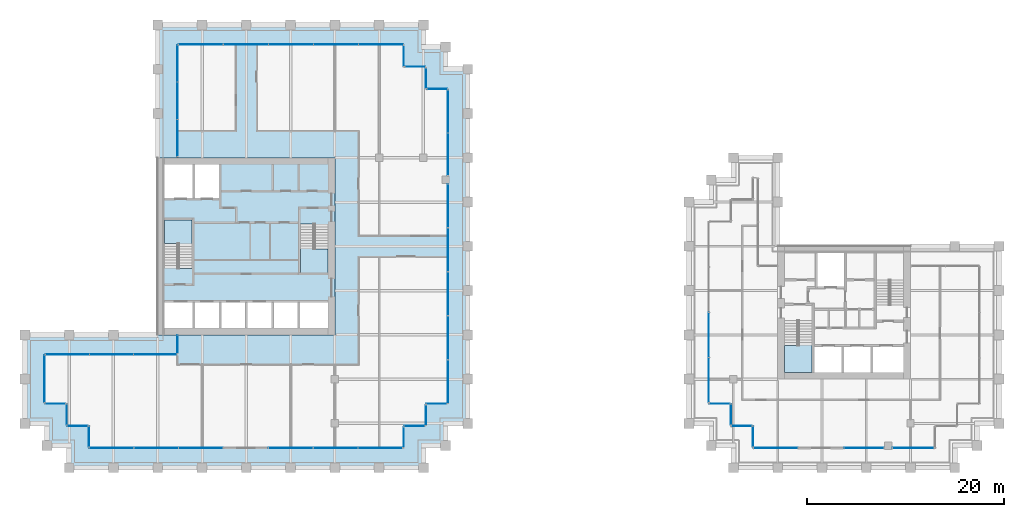
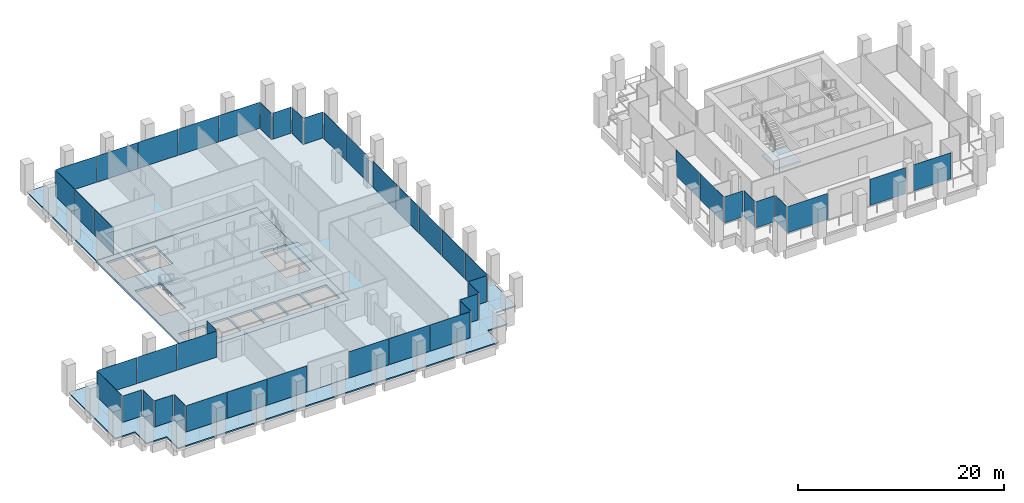
# One storey, part 39 of 46: 47 plates, 6 slabs, 32 elements without a shape of their own.
"""IFC4 building model written with IfcOpenShell, lengths in metres."""

from ifc_helpers import new_model, si_unit, direction, frame, origin, origin_2d, place, context, subcontext, project, spatial, polyline, rectangle, outline, extrude, material, layer, layer_set, type_object, element, aggregate, save


model = new_model("IFC4")

# Units and contexts
model_context = context("Model", 3, precision=1e-05, world=origin(), true_north=direction((0.0, 1.0)))
body_context = subcontext(model_context, "Body", "Model", "MODEL_VIEW")
ifc_project = project(units=[si_unit("LENGTHUNIT", "METRE"), si_unit("AREAUNIT", "SQUARE_METRE"), si_unit("VOLUMEUNIT", "CUBIC_METRE"), si_unit("PLANEANGLEUNIT", "RADIAN"), si_unit("MASSUNIT", "GRAM", prefix="KILO")], contexts=[model_context])

# Site, building, storey
site_placement = place(None, origin())
site = spatial("IfcSite", under=ifc_project, at=site_placement, CompositionType="ELEMENT")
building_placement = place(site_placement, origin())
building = spatial("IfcBuilding", under=site, at=building_placement, Name="Altepetl Exchange Towers", CompositionType="ELEMENT")
storey_placement = place(building_placement, frame((0.0, 0.0, 102.800048828125)))
storey = spatial("IfcBuildingStorey", under=building, at=storey_placement, Name="L25", CompositionType="ELEMENT", Elevation=102.800048828125)

# Slabs
ifc_material_1 = material(Name="Concrete C40/50", Category="concrete")
ifc_layer_1 = layer(ifc_material_1, 0.14990234375)
ifc_layer_set_1 = layer_set([ifc_layer_1], Name="Concrete C40/50")
slab_type_1 = type_object("IfcSlabType", Name="Composite floor slab 150", PredefinedType="FLOOR", material=ifc_layer_set_1)
slab_1_placement = place(storey_placement, frame((0.0, 0.0, -0.150146484375)))
element("IfcSlab", 1, at=slab_1_placement, inside=storey, type_object=slab_type_1, Name="slab:A:L25:strip0", PredefinedType="FLOOR", context=body_context, shape_type="SweptSolid", body=[
    extrude(outline(polyline([(42.5, 70.0), (42.5, 58.5), (58.5, 58.5), (58.5, 40.5), (42.5, 40.5), (42.5, 38.5), (29.0, 38.5), (29.0, 33.5), (31.25, 33.5), (31.25, 31.25), (33.5, 31.25), (33.5, 29.0), (65.5, 29.0), (65.5, 31.25), (67.75, 31.25), (67.75, 33.5), (70.0, 33.5), (70.0, 65.5), (67.75, 65.5), (67.75, 67.75), (65.5, 67.75), (65.5, 70.0), (42.5, 70.0)])), origin(), (0.0, 0.0, 1.0), 0.150146484375),
])
ifc_layer_2 = layer(ifc_material_1, 0.25)
ifc_layer_set_2 = layer_set([ifc_layer_2], Name="Concrete C40/50")
slab_type_2 = type_object("IfcSlabType", Name="Core floor slab 250", PredefinedType="FLOOR", material=ifc_layer_set_2)
slab_2_placement = place(storey_placement, frame((0.0, 0.0, -0.25)))
element("IfcSlab", 2, at=slab_2_placement, inside=storey, type_object=slab_type_2, Name="slab:A:L25:core0", PredefinedType="FLOOR", context=body_context, shape_type="SweptSolid", body=[
    extrude(outline(polyline([(40.5, 40.5), (58.5, 40.5), (58.5, 58.5), (40.5, 58.5), (40.5, 40.5)]), holes=[polyline([(41.199951171875, 43.800048828125), (44.06689453125, 43.800048828125), (44.06689453125, 41.199951171875), (41.199951171875, 41.199951171875), (41.199951171875, 43.800048828125)]), polyline([(44.26708984375, 43.800048828125), (46.73291015625, 43.800048828125), (46.73291015625, 41.199951171875), (44.26708984375, 41.199951171875), (44.26708984375, 43.800048828125)]), polyline([(46.93310546875, 43.800048828125), (49.39990234375, 43.800048828125), (49.39990234375, 41.199951171875), (46.93310546875, 41.199951171875), (46.93310546875, 43.800048828125)]), polyline([(52.06689453125, 43.800048828125), (52.06689453125, 41.199951171875), (49.60009765625, 41.199951171875), (49.60009765625, 43.800048828125), (52.06689453125, 43.800048828125)]), polyline([(54.73291015625, 43.800048828125), (54.73291015625, 41.199951171875), (52.26708984375, 41.199951171875), (52.26708984375, 43.800048828125), (54.73291015625, 43.800048828125)]), polyline([(54.93310546875, 43.800048828125), (57.800048828125, 43.800048828125), (57.800048828125, 41.199951171875), (54.93310546875, 41.199951171875), (54.93310546875, 43.800048828125)]), polyline([(55.0, 51.7490234375), (56.449951171875, 51.7490234375), (56.449951171875, 51.64990234375), (57.800048828125, 51.64990234375), (57.800048828125, 46.800048828125), (55.0, 46.800048828125), (55.0, 51.7490234375)]), polyline([(44.0, 47.2509765625), (42.550048828125, 47.2509765625), (42.550048828125, 47.35009765625), (41.199951171875, 47.35009765625), (41.199951171875, 52.199951171875), (44.0, 52.199951171875), (44.0, 47.2509765625)]), polyline([(44.06689453125, 57.800048828125), (44.06689453125, 54.39990234375), (41.199951171875, 54.39990234375), (41.199951171875, 57.800048828125), (44.06689453125, 57.800048828125)]), polyline([(46.73291015625, 57.800048828125), (46.73291015625, 54.39990234375), (44.26708984375, 54.39990234375), (44.26708984375, 57.800048828125), (46.73291015625, 57.800048828125)])]), origin(), (0.0, 0.0, 1.0), 0.25),
])

# Curtain wall, plate
ifc_material_2 = material(Name="Aluminium 6063-T6 glazing", Category="aluminium")
curtain_wall_type = type_object("IfcCurtainWallType", Name="Loggia glazing system", PredefinedType="NOTDEFINED", material=ifc_material_2)
curtain_wall_1_placement = place(storey_placement, origin())
curtain_wall_1 = element("IfcCurtainWall", 3, at=curtain_wall_1_placement, inside=storey, type_object=curtain_wall_type, Name="CW1 run", PredefinedType="NOTDEFINED")
ifc_material_3 = material(Name="Glass 6-16-6 low emissivity", Category="glass")
ifc_layer_3 = layer(ifc_material_3, 0.028076171875)
ifc_layer_set_3 = layer_set([ifc_layer_3], Name="Glass 6-16-6 low emissivity")
plate_type = type_object("IfcPlateType", Name="Glass panel 28 double glazed", PredefinedType="CURTAIN_PANEL", material=ifc_layer_set_3)
plate_1_placement = place(storey_placement, frame((42.5, 39.53759765625, 0.0), z_axis=(0.0, 0.0, 1.0), x_axis=(0.0, -1.0, 0.0)))
plate_1 = element("IfcPlate", 4, at=plate_1_placement, type_object=plate_type, Name="GP1 panel", PredefinedType="CURTAIN_PANEL", context=body_context, shape_type="SweptSolid", body=[
    extrude(rectangle(XDim=1.804931640625, YDim=0.028076171875, at=origin_2d()), origin(), (0.0, 0.0, 1.0), 3.10009765625),
])
aggregate(curtain_wall_1, [plate_1])

# Curtain wall, plates
curtain_wall_2_placement = place(storey_placement, origin())
curtain_wall_2 = element("IfcCurtainWall", 5, at=curtain_wall_2_placement, inside=storey, type_object=curtain_wall_type, Name="CW1 run", PredefinedType="NOTDEFINED")
plate_2_placement = place(storey_placement, frame((40.24755859375, 38.5, 0.0), z_axis=(0.0, 0.0, 1.0), x_axis=(-1.0, 0.0, 0.0)))
plate_2 = element("IfcPlate", 6, at=plate_2_placement, type_object=plate_type, Name="GP1 panel", PredefinedType="CURTAIN_PANEL", context=body_context, shape_type="SweptSolid", body=[
    extrude(rectangle(XDim=4.385009765625, YDim=0.028076171875, at=origin_2d()), origin(), (0.0, 0.0, 1.0), 3.10009765625),
])
plate_3_placement = place(storey_placement, frame((35.78759765625, 38.5, 0.0), z_axis=(0.0, 0.0, 1.0), x_axis=(-1.0, 0.0, 0.0)))
plate_3 = element("IfcPlate", 7, at=plate_3_placement, type_object=plate_type, Name="GP1 panel", PredefinedType="CURTAIN_PANEL", context=body_context, shape_type="SweptSolid", body=[
    extrude(rectangle(XDim=4.4150390625, YDim=0.028076171875, at=origin_2d()), origin(), (0.0, 0.0, 1.0), 3.10009765625),
])
plate_4_placement = place(storey_placement, frame((31.327392578125, 38.5, 0.0), z_axis=(0.0, 0.0, 1.0), x_axis=(-1.0, 0.0, 0.0)))
plate_4 = element("IfcPlate", 8, at=plate_4_placement, type_object=plate_type, Name="GP1 panel", PredefinedType="CURTAIN_PANEL", context=body_context, shape_type="SweptSolid", body=[
    extrude(rectangle(XDim=4.385009765625, YDim=0.028076171875, at=origin_2d()), origin(), (0.0, 0.0, 1.0), 3.10009765625),
])
aggregate(curtain_wall_2, [plate_2, plate_3, plate_4])

# Curtain wall, plate
curtain_wall_3_placement = place(storey_placement, origin())
curtain_wall_3 = element("IfcCurtainWall", 9, at=curtain_wall_3_placement, inside=storey, type_object=curtain_wall_type, Name="CW1 run", PredefinedType="NOTDEFINED")
plate_5_placement = place(storey_placement, frame((29.0, 36.03759765625, 0.0), z_axis=(0.0, 0.0, 1.0), x_axis=(0.0, -1.0, 0.0)))
plate_5 = element("IfcPlate", 10, at=plate_5_placement, type_object=plate_type, Name="GP1 panel", PredefinedType="CURTAIN_PANEL", context=body_context, shape_type="SweptSolid", body=[
    extrude(rectangle(XDim=4.804931640625, YDim=0.028076171875, at=origin_2d()), origin(), (0.0, 0.0, 1.0), 3.10009765625),
])
aggregate(curtain_wall_3, [plate_5])

curtain_wall_4_placement = place(storey_placement, origin())
curtain_wall_4 = element("IfcCurtainWall", 11, at=curtain_wall_4_placement, inside=storey, type_object=curtain_wall_type, Name="CW1 run", PredefinedType="NOTDEFINED")
plate_6_placement = place(storey_placement, frame((30.08740234375, 33.5, 0.0)))
plate_6 = element("IfcPlate", 12, at=plate_6_placement, type_object=plate_type, Name="GP1 panel", PredefinedType="CURTAIN_PANEL", context=body_context, shape_type="SweptSolid", body=[
    extrude(rectangle(XDim=2.054931640625, YDim=0.028076171875, at=origin_2d()), origin(), (0.0, 0.0, 1.0), 3.10009765625),
])
aggregate(curtain_wall_4, [plate_6])

curtain_wall_5_placement = place(storey_placement, origin())
curtain_wall_5 = element("IfcCurtainWall", 13, at=curtain_wall_5_placement, inside=storey, type_object=curtain_wall_type, Name="CW1 run", PredefinedType="NOTDEFINED")
plate_7_placement = place(storey_placement, frame((31.25, 32.41259765625, 0.0), z_axis=(0.0, 0.0, 1.0), x_axis=(0.0, -1.0, 0.0)))
plate_7 = element("IfcPlate", 14, at=plate_7_placement, type_object=plate_type, Name="GP1 panel", PredefinedType="CURTAIN_PANEL", context=body_context, shape_type="SweptSolid", body=[
    extrude(rectangle(XDim=2.054931640625, YDim=0.028076171875, at=origin_2d()), origin(), (0.0, 0.0, 1.0), 3.10009765625),
])
aggregate(curtain_wall_5, [plate_7])

curtain_wall_6_placement = place(storey_placement, origin())
curtain_wall_6 = element("IfcCurtainWall", 15, at=curtain_wall_6_placement, inside=storey, type_object=curtain_wall_type, Name="CW1 run", PredefinedType="NOTDEFINED")
plate_8_placement = place(storey_placement, frame((32.33740234375, 31.25, 0.0)))
plate_8 = element("IfcPlate", 16, at=plate_8_placement, type_object=plate_type, Name="GP1 panel", PredefinedType="CURTAIN_PANEL", context=body_context, shape_type="SweptSolid", body=[
    extrude(rectangle(XDim=2.054931640625, YDim=0.028076171875, at=origin_2d()), origin(), (0.0, 0.0, 1.0), 3.10009765625),
])
aggregate(curtain_wall_6, [plate_8])

curtain_wall_7_placement = place(storey_placement, origin())
curtain_wall_7 = element("IfcCurtainWall", 17, at=curtain_wall_7_placement, inside=storey, type_object=curtain_wall_type, Name="CW1 run", PredefinedType="NOTDEFINED")
plate_9_placement = place(storey_placement, frame((33.5, 30.16259765625, 0.0), z_axis=(0.0, 0.0, 1.0), x_axis=(0.0, -1.0, 0.0)))
plate_9 = element("IfcPlate", 18, at=plate_9_placement, type_object=plate_type, Name="GP1 panel", PredefinedType="CURTAIN_PANEL", context=body_context, shape_type="SweptSolid", body=[
    extrude(rectangle(XDim=2.054931640625, YDim=0.028076171875, at=origin_2d()), origin(), (0.0, 0.0, 1.0), 3.10009765625),
])
aggregate(curtain_wall_7, [plate_9])

# Curtain wall, plates
curtain_wall_8_placement = place(storey_placement, origin())
curtain_wall_8 = element("IfcCurtainWall", 19, at=curtain_wall_8_placement, inside=storey, type_object=curtain_wall_type, Name="CW1 run", PredefinedType="NOTDEFINED")
plate_10_placement = place(storey_placement, frame((35.79541015625, 29.0, 0.0)))
plate_10 = element("IfcPlate", 20, at=plate_10_placement, type_object=plate_type, Name="GP1 panel", PredefinedType="CURTAIN_PANEL", context=body_context, shape_type="SweptSolid", body=[
    extrude(rectangle(XDim=4.470703125, YDim=0.028076171875, at=origin_2d()), origin(), (0.0, 0.0, 1.0), 3.10009765625),
])
plate_11_placement = place(storey_placement, frame((40.341064453125, 29.0, 0.0)))
plate_11 = element("IfcPlate", 21, at=plate_11_placement, type_object=plate_type, Name="GP1 panel", PredefinedType="CURTAIN_PANEL", context=body_context, shape_type="SweptSolid", body=[
    extrude(rectangle(XDim=4.500732421875, YDim=0.028076171875, at=origin_2d()), origin(), (0.0, 0.0, 1.0), 3.10009765625),
])
plate_12_placement = place(storey_placement, frame((44.88671875, 29.0, 0.0)))
plate_12 = element("IfcPlate", 22, at=plate_12_placement, type_object=plate_type, Name="GP1 panel", PredefinedType="CURTAIN_PANEL", context=body_context, shape_type="SweptSolid", body=[
    extrude(rectangle(XDim=4.470703125, YDim=0.028076171875, at=origin_2d()), origin(), (0.0, 0.0, 1.0), 3.10009765625),
])
aggregate(curtain_wall_8, [plate_10, plate_11, plate_12])

curtain_wall_9_placement = place(storey_placement, origin())
curtain_wall_9 = element("IfcCurtainWall", 23, at=curtain_wall_9_placement, inside=storey, type_object=curtain_wall_type, Name="CW1 run", PredefinedType="NOTDEFINED")
plate_13_placement = place(storey_placement, frame((54.038330078125, 29.0, 0.0)))
plate_13 = element("IfcPlate", 24, at=plate_13_placement, type_object=plate_type, Name="GP1 panel", PredefinedType="CURTAIN_PANEL", context=body_context, shape_type="SweptSolid", body=[
    extrude(rectangle(XDim=4.470703125, YDim=0.028076171875, at=origin_2d()), origin(), (0.0, 0.0, 1.0), 3.10009765625),
])
plate_14_placement = place(storey_placement, frame((58.583984375, 29.0, 0.0)))
plate_14 = element("IfcPlate", 25, at=plate_14_placement, type_object=plate_type, Name="GP1 panel", PredefinedType="CURTAIN_PANEL", context=body_context, shape_type="SweptSolid", body=[
    extrude(rectangle(XDim=4.500732421875, YDim=0.028076171875, at=origin_2d()), origin(), (0.0, 0.0, 1.0), 3.10009765625),
])
plate_15_placement = place(storey_placement, frame((63.129638671875, 29.0, 0.0)))
plate_15 = element("IfcPlate", 26, at=plate_15_placement, type_object=plate_type, Name="GP1 panel", PredefinedType="CURTAIN_PANEL", context=body_context, shape_type="SweptSolid", body=[
    extrude(rectangle(XDim=4.470703125, YDim=0.028076171875, at=origin_2d()), origin(), (0.0, 0.0, 1.0), 3.10009765625),
])
aggregate(curtain_wall_9, [plate_13, plate_14, plate_15])

# Curtain wall, plate
curtain_wall_10_placement = place(storey_placement, origin())
curtain_wall_10 = element("IfcCurtainWall", 27, at=curtain_wall_10_placement, inside=storey, type_object=curtain_wall_type, Name="CW1 run", PredefinedType="NOTDEFINED")
plate_16_placement = place(storey_placement, frame((65.5, 30.08740234375, 0.0), z_axis=(0.0, 0.0, 1.0), x_axis=(0.0, 1.0, 0.0)))
plate_16 = element("IfcPlate", 28, at=plate_16_placement, type_object=plate_type, Name="GP1 panel", PredefinedType="CURTAIN_PANEL", context=body_context, shape_type="SweptSolid", body=[
    extrude(rectangle(XDim=2.054931640625, YDim=0.028076171875, at=origin_2d()), origin(), (0.0, 0.0, 1.0), 3.10009765625),
])
aggregate(curtain_wall_10, [plate_16])

curtain_wall_11_placement = place(storey_placement, origin())
curtain_wall_11 = element("IfcCurtainWall", 29, at=curtain_wall_11_placement, inside=storey, type_object=curtain_wall_type, Name="CW1 run", PredefinedType="NOTDEFINED")
plate_17_placement = place(storey_placement, frame((66.58740234375, 31.25, 0.0)))
plate_17 = element("IfcPlate", 30, at=plate_17_placement, type_object=plate_type, Name="GP1 panel", PredefinedType="CURTAIN_PANEL", context=body_context, shape_type="SweptSolid", body=[
    extrude(rectangle(XDim=2.054931640625, YDim=0.028076171875, at=origin_2d()), origin(), (0.0, 0.0, 1.0), 3.10009765625),
])
aggregate(curtain_wall_11, [plate_17])

curtain_wall_12_placement = place(storey_placement, origin())
curtain_wall_12 = element("IfcCurtainWall", 31, at=curtain_wall_12_placement, inside=storey, type_object=curtain_wall_type, Name="CW1 run", PredefinedType="NOTDEFINED")
plate_18_placement = place(storey_placement, frame((67.75, 32.33740234375, 0.0), z_axis=(0.0, 0.0, 1.0), x_axis=(0.0, 1.0, 0.0)))
plate_18 = element("IfcPlate", 32, at=plate_18_placement, type_object=plate_type, Name="GP1 panel", PredefinedType="CURTAIN_PANEL", context=body_context, shape_type="SweptSolid", body=[
    extrude(rectangle(XDim=2.054931640625, YDim=0.028076171875, at=origin_2d()), origin(), (0.0, 0.0, 1.0), 3.10009765625),
])
aggregate(curtain_wall_12, [plate_18])

curtain_wall_13_placement = place(storey_placement, origin())
curtain_wall_13 = element("IfcCurtainWall", 33, at=curtain_wall_13_placement, inside=storey, type_object=curtain_wall_type, Name="CW1 run", PredefinedType="NOTDEFINED")
plate_19_placement = place(storey_placement, frame((68.83740234375, 33.5, 0.0)))
plate_19 = element("IfcPlate", 34, at=plate_19_placement, type_object=plate_type, Name="GP1 panel", PredefinedType="CURTAIN_PANEL", context=body_context, shape_type="SweptSolid", body=[
    extrude(rectangle(XDim=2.054931640625, YDim=0.028076171875, at=origin_2d()), origin(), (0.0, 0.0, 1.0), 3.10009765625),
])
aggregate(curtain_wall_13, [plate_19])

# Curtain wall, plates
curtain_wall_14_placement = place(storey_placement, origin())
curtain_wall_14 = element("IfcCurtainWall", 35, at=curtain_wall_14_placement, inside=storey, type_object=curtain_wall_type, Name="CW1 run", PredefinedType="NOTDEFINED")
plate_20_placement = place(storey_placement, frame((70.0, 35.75048828125, 0.0), z_axis=(0.0, 0.0, 1.0), x_axis=(0.0, 1.0, 0.0)))
plate_20 = element("IfcPlate", 36, at=plate_20_placement, type_object=plate_type, Name="GP1 panel", PredefinedType="CURTAIN_PANEL", context=body_context, shape_type="SweptSolid", body=[
    extrude(rectangle(XDim=4.381103515625, YDim=0.028076171875, at=origin_2d()), origin(), (0.0, 0.0, 1.0), 3.10009765625),
])
plate_21_placement = place(storey_placement, frame((70.0, 40.20654296875, 0.0), z_axis=(0.0, 0.0, 1.0), x_axis=(0.0, 1.0, 0.0)))
plate_21 = element("IfcPlate", 37, at=plate_21_placement, type_object=plate_type, Name="GP1 panel", PredefinedType="CURTAIN_PANEL", context=body_context, shape_type="SweptSolid", body=[
    extrude(rectangle(XDim=4.410888671875, YDim=0.028076171875, at=origin_2d()), origin(), (0.0, 0.0, 1.0), 3.10009765625),
])
plate_22_placement = place(storey_placement, frame((70.0, 44.677490234375, 0.0), z_axis=(0.0, 0.0, 1.0), x_axis=(0.0, 1.0, 0.0)))
plate_22 = element("IfcPlate", 38, at=plate_22_placement, type_object=plate_type, Name="GP1 panel", PredefinedType="CURTAIN_PANEL", context=body_context, shape_type="SweptSolid", body=[
    extrude(rectangle(XDim=4.410888671875, YDim=0.028076171875, at=origin_2d()), origin(), (0.0, 0.0, 1.0), 3.10009765625),
])
plate_23_placement = place(storey_placement, frame((70.0, 49.1484375, 0.0), z_axis=(0.0, 0.0, 1.0), x_axis=(0.0, 1.0, 0.0)))
plate_23 = element("IfcPlate", 39, at=plate_23_placement, type_object=plate_type, Name="GP1 panel", PredefinedType="CURTAIN_PANEL", context=body_context, shape_type="SweptSolid", body=[
    extrude(rectangle(XDim=4.410888671875, YDim=0.028076171875, at=origin_2d()), origin(), (0.0, 0.0, 1.0), 3.10009765625),
])
plate_24_placement = place(storey_placement, frame((70.0, 53.6044921875, 0.0), z_axis=(0.0, 0.0, 1.0), x_axis=(0.0, 1.0, 0.0)))
plate_24 = element("IfcPlate", 40, at=plate_24_placement, type_object=plate_type, Name="GP1 panel", PredefinedType="CURTAIN_PANEL", context=body_context, shape_type="SweptSolid", body=[
    extrude(rectangle(XDim=4.381103515625, YDim=0.028076171875, at=origin_2d()), origin(), (0.0, 0.0, 1.0), 3.10009765625),
])
aggregate(curtain_wall_14, [plate_20, plate_21, plate_22, plate_23, plate_24])

curtain_wall_15_placement = place(storey_placement, origin())
curtain_wall_15 = element("IfcCurtainWall", 41, at=curtain_wall_15_placement, inside=storey, type_object=curtain_wall_type, Name="CW1 run", PredefinedType="NOTDEFINED")
plate_25_placement = place(storey_placement, frame((70.0, 58.85498046875, 0.0), z_axis=(0.0, 0.0, 1.0), x_axis=(0.0, 1.0, 0.0)))
plate_25 = element("IfcPlate", 42, at=plate_25_placement, type_object=plate_type, Name="GP1 panel", PredefinedType="CURTAIN_PANEL", context=body_context, shape_type="SweptSolid", body=[
    extrude(rectangle(XDim=4.300048828125, YDim=0.028076171875, at=origin_2d()), origin(), (0.0, 0.0, 1.0), 3.10009765625),
])
plate_26_placement = place(storey_placement, frame((70.0, 63.215087890625, 0.0), z_axis=(0.0, 0.0, 1.0), x_axis=(0.0, 1.0, 0.0)))
plate_26 = element("IfcPlate", 43, at=plate_26_placement, type_object=plate_type, Name="GP1 panel", PredefinedType="CURTAIN_PANEL", context=body_context, shape_type="SweptSolid", body=[
    extrude(rectangle(XDim=4.300048828125, YDim=0.028076171875, at=origin_2d()), origin(), (0.0, 0.0, 1.0), 3.10009765625),
])
aggregate(curtain_wall_15, [plate_25, plate_26])

# Curtain wall, plate
curtain_wall_16_placement = place(storey_placement, origin())
curtain_wall_16 = element("IfcCurtainWall", 44, at=curtain_wall_16_placement, inside=storey, type_object=curtain_wall_type, Name="CW1 run", PredefinedType="NOTDEFINED")
plate_27_placement = place(storey_placement, frame((68.91259765625, 65.5, 0.0), z_axis=(0.0, 0.0, 1.0), x_axis=(-1.0, 0.0, 0.0)))
plate_27 = element("IfcPlate", 45, at=plate_27_placement, type_object=plate_type, Name="GP1 panel", PredefinedType="CURTAIN_PANEL", context=body_context, shape_type="SweptSolid", body=[
    extrude(rectangle(XDim=2.054931640625, YDim=0.028076171875, at=origin_2d()), origin(), (0.0, 0.0, 1.0), 3.10009765625),
])
aggregate(curtain_wall_16, [plate_27])

curtain_wall_17_placement = place(storey_placement, origin())
curtain_wall_17 = element("IfcCurtainWall", 46, at=curtain_wall_17_placement, inside=storey, type_object=curtain_wall_type, Name="CW1 run", PredefinedType="NOTDEFINED")
plate_28_placement = place(storey_placement, frame((67.75, 66.58740234375, 0.0), z_axis=(0.0, 0.0, 1.0), x_axis=(0.0, 1.0, 0.0)))
plate_28 = element("IfcPlate", 47, at=plate_28_placement, type_object=plate_type, Name="GP1 panel", PredefinedType="CURTAIN_PANEL", context=body_context, shape_type="SweptSolid", body=[
    extrude(rectangle(XDim=2.054931640625, YDim=0.028076171875, at=origin_2d()), origin(), (0.0, 0.0, 1.0), 3.10009765625),
])
aggregate(curtain_wall_17, [plate_28])

curtain_wall_18_placement = place(storey_placement, origin())
curtain_wall_18 = element("IfcCurtainWall", 48, at=curtain_wall_18_placement, inside=storey, type_object=curtain_wall_type, Name="CW1 run", PredefinedType="NOTDEFINED")
plate_29_placement = place(storey_placement, frame((66.66259765625, 67.75, 0.0), z_axis=(0.0, 0.0, 1.0), x_axis=(-1.0, 0.0, 0.0)))
plate_29 = element("IfcPlate", 49, at=plate_29_placement, type_object=plate_type, Name="GP1 panel", PredefinedType="CURTAIN_PANEL", context=body_context, shape_type="SweptSolid", body=[
    extrude(rectangle(XDim=2.054931640625, YDim=0.028076171875, at=origin_2d()), origin(), (0.0, 0.0, 1.0), 3.10009765625),
])
aggregate(curtain_wall_18, [plate_29])

curtain_wall_19_placement = place(storey_placement, origin())
curtain_wall_19 = element("IfcCurtainWall", 50, at=curtain_wall_19_placement, inside=storey, type_object=curtain_wall_type, Name="CW1 run", PredefinedType="NOTDEFINED")
plate_30_placement = place(storey_placement, frame((65.5, 68.83740234375, 0.0), z_axis=(0.0, 0.0, 1.0), x_axis=(0.0, 1.0, 0.0)))
plate_30 = element("IfcPlate", 51, at=plate_30_placement, type_object=plate_type, Name="GP1 panel", PredefinedType="CURTAIN_PANEL", context=body_context, shape_type="SweptSolid", body=[
    extrude(rectangle(XDim=2.054931640625, YDim=0.028076171875, at=origin_2d()), origin(), (0.0, 0.0, 1.0), 3.10009765625),
])
aggregate(curtain_wall_19, [plate_30])

# Curtain wall, plates
curtain_wall_20_placement = place(storey_placement, origin())
curtain_wall_20 = element("IfcCurtainWall", 52, at=curtain_wall_20_placement, inside=storey, type_object=curtain_wall_type, Name="CW1 run", PredefinedType="NOTDEFINED")
plate_31_placement = place(storey_placement, frame((63.1923828125, 70.0, 0.0), z_axis=(0.0, 0.0, 1.0), x_axis=(-1.0, 0.0, 0.0)))
plate_31 = element("IfcPlate", 53, at=plate_31_placement, type_object=plate_type, Name="GP1 panel", PredefinedType="CURTAIN_PANEL", context=body_context, shape_type="SweptSolid", body=[
    extrude(rectangle(XDim=4.4951171875, YDim=0.028076171875, at=origin_2d()), origin(), (0.0, 0.0, 1.0), 3.10009765625),
])
plate_32_placement = place(storey_placement, frame((58.62255859375, 70.0, 0.0), z_axis=(0.0, 0.0, 1.0), x_axis=(-1.0, 0.0, 0.0)))
plate_32 = element("IfcPlate", 54, at=plate_32_placement, type_object=plate_type, Name="GP1 panel", PredefinedType="CURTAIN_PANEL", context=body_context, shape_type="SweptSolid", body=[
    extrude(rectangle(XDim=4.52490234375, YDim=0.028076171875, at=origin_2d()), origin(), (0.0, 0.0, 1.0), 3.10009765625),
])
plate_33_placement = place(storey_placement, frame((54.03759765625, 70.0, 0.0), z_axis=(0.0, 0.0, 1.0), x_axis=(-1.0, 0.0, 0.0)))
plate_33 = element("IfcPlate", 55, at=plate_33_placement, type_object=plate_type, Name="GP1 panel", PredefinedType="CURTAIN_PANEL", context=body_context, shape_type="SweptSolid", body=[
    extrude(rectangle(XDim=4.52490234375, YDim=0.028076171875, at=origin_2d()), origin(), (0.0, 0.0, 1.0), 3.10009765625),
])
plate_34_placement = place(storey_placement, frame((49.452392578125, 70.0, 0.0), z_axis=(0.0, 0.0, 1.0), x_axis=(-1.0, 0.0, 0.0)))
plate_34 = element("IfcPlate", 56, at=plate_34_placement, type_object=plate_type, Name="GP1 panel", PredefinedType="CURTAIN_PANEL", context=body_context, shape_type="SweptSolid", body=[
    extrude(rectangle(XDim=4.52490234375, YDim=0.028076171875, at=origin_2d()), origin(), (0.0, 0.0, 1.0), 3.10009765625),
])
plate_35_placement = place(storey_placement, frame((44.882568359375, 70.0, 0.0), z_axis=(0.0, 0.0, 1.0), x_axis=(-1.0, 0.0, 0.0)))
plate_35 = element("IfcPlate", 57, at=plate_35_placement, type_object=plate_type, Name="GP1 panel", PredefinedType="CURTAIN_PANEL", context=body_context, shape_type="SweptSolid", body=[
    extrude(rectangle(XDim=4.4951171875, YDim=0.028076171875, at=origin_2d()), origin(), (0.0, 0.0, 1.0), 3.10009765625),
])
aggregate(curtain_wall_20, [plate_31, plate_32, plate_33, plate_34, plate_35])

curtain_wall_21_placement = place(storey_placement, origin())
curtain_wall_21 = element("IfcCurtainWall", 58, at=curtain_wall_21_placement, inside=storey, type_object=curtain_wall_type, Name="CW1 run", PredefinedType="NOTDEFINED")
plate_36_placement = place(storey_placement, frame((42.5, 68.080810546875, 0.0), z_axis=(0.0, 0.0, 1.0), x_axis=(0.0, -1.0, 0.0)))
plate_36 = element("IfcPlate", 59, at=plate_36_placement, type_object=plate_type, Name="GP1 panel", PredefinedType="CURTAIN_PANEL", context=body_context, shape_type="SweptSolid", body=[
    extrude(rectangle(XDim=3.71826171875, YDim=0.028076171875, at=origin_2d()), origin(), (0.0, 0.0, 1.0), 3.10009765625),
])
plate_37_placement = place(storey_placement, frame((42.5, 64.28759765625, 0.0), z_axis=(0.0, 0.0, 1.0), x_axis=(0.0, -1.0, 0.0)))
plate_37 = element("IfcPlate", 60, at=plate_37_placement, type_object=plate_type, Name="GP1 panel", PredefinedType="CURTAIN_PANEL", context=body_context, shape_type="SweptSolid", body=[
    extrude(rectangle(XDim=3.748291015625, YDim=0.028076171875, at=origin_2d()), origin(), (0.0, 0.0, 1.0), 3.10009765625),
])
plate_38_placement = place(storey_placement, frame((42.5, 60.494140625, 0.0), z_axis=(0.0, 0.0, 1.0), x_axis=(0.0, -1.0, 0.0)))
plate_38 = element("IfcPlate", 61, at=plate_38_placement, type_object=plate_type, Name="GP1 panel", PredefinedType="CURTAIN_PANEL", context=body_context, shape_type="SweptSolid", body=[
    extrude(rectangle(XDim=3.71826171875, YDim=0.028076171875, at=origin_2d()), origin(), (0.0, 0.0, 1.0), 3.10009765625),
])
aggregate(curtain_wall_21, [plate_36, plate_37, plate_38])

curtain_wall_22_placement = place(storey_placement, origin())
curtain_wall_22 = element("IfcCurtainWall", 62, at=curtain_wall_22_placement, inside=storey, type_object=curtain_wall_type, Name="CW1 run", PredefinedType="NOTDEFINED")
plate_39_placement = place(storey_placement, frame((96.5, 40.484375, 0.0), z_axis=(0.0, 0.0, 1.0), x_axis=(0.0, -1.0, 0.0)))
plate_39 = element("IfcPlate", 63, at=plate_39_placement, type_object=plate_type, Name="GP1 panel", PredefinedType="CURTAIN_PANEL", context=body_context, shape_type="SweptSolid", body=[
    extrude(rectangle(XDim=4.546142578125, YDim=0.028076171875, at=origin_2d()), origin(), (0.0, 0.0, 1.0), 3.10009765625),
])
plate_40_placement = place(storey_placement, frame((96.5, 35.89306640625, 0.0), z_axis=(0.0, 0.0, 1.0), x_axis=(0.0, -1.0, 0.0)))
plate_40 = element("IfcPlate", 64, at=plate_40_placement, type_object=plate_type, Name="GP1 panel", PredefinedType="CURTAIN_PANEL", context=body_context, shape_type="SweptSolid", body=[
    extrude(rectangle(XDim=4.516357421875, YDim=0.028076171875, at=origin_2d()), origin(), (0.0, 0.0, 1.0), 3.10009765625),
])
aggregate(curtain_wall_22, [plate_39, plate_40])

# Curtain wall, plate
curtain_wall_23_placement = place(storey_placement, origin())
curtain_wall_23 = element("IfcCurtainWall", 65, at=curtain_wall_23_placement, inside=storey, type_object=curtain_wall_type, Name="CW1 run", PredefinedType="NOTDEFINED")
plate_41_placement = place(storey_placement, frame((97.58740234375, 33.5, 0.0)))
plate_41 = element("IfcPlate", 66, at=plate_41_placement, type_object=plate_type, Name="GP1 panel", PredefinedType="CURTAIN_PANEL", context=body_context, shape_type="SweptSolid", body=[
    extrude(rectangle(XDim=2.054931640625, YDim=0.028076171875, at=origin_2d()), origin(), (0.0, 0.0, 1.0), 3.10009765625),
])
aggregate(curtain_wall_23, [plate_41])

curtain_wall_24_placement = place(storey_placement, origin())
curtain_wall_24 = element("IfcCurtainWall", 67, at=curtain_wall_24_placement, inside=storey, type_object=curtain_wall_type, Name="CW1 run", PredefinedType="NOTDEFINED")
plate_42_placement = place(storey_placement, frame((98.75, 32.41259765625, 0.0), z_axis=(0.0, 0.0, 1.0), x_axis=(0.0, -1.0, 0.0)))
plate_42 = element("IfcPlate", 68, at=plate_42_placement, type_object=plate_type, Name="GP1 panel", PredefinedType="CURTAIN_PANEL", context=body_context, shape_type="SweptSolid", body=[
    extrude(rectangle(XDim=2.054931640625, YDim=0.028076171875, at=origin_2d()), origin(), (0.0, 0.0, 1.0), 3.10009765625),
])
aggregate(curtain_wall_24, [plate_42])

curtain_wall_25_placement = place(storey_placement, origin())
curtain_wall_25 = element("IfcCurtainWall", 69, at=curtain_wall_25_placement, inside=storey, type_object=curtain_wall_type, Name="CW1 run", PredefinedType="NOTDEFINED")
plate_43_placement = place(storey_placement, frame((99.83740234375, 31.25, 0.0)))
plate_43 = element("IfcPlate", 70, at=plate_43_placement, type_object=plate_type, Name="GP1 panel", PredefinedType="CURTAIN_PANEL", context=body_context, shape_type="SweptSolid", body=[
    extrude(rectangle(XDim=2.054931640625, YDim=0.028076171875, at=origin_2d()), origin(), (0.0, 0.0, 1.0), 3.10009765625),
])
aggregate(curtain_wall_25, [plate_43])

curtain_wall_26_placement = place(storey_placement, origin())
curtain_wall_26 = element("IfcCurtainWall", 71, at=curtain_wall_26_placement, inside=storey, type_object=curtain_wall_type, Name="CW1 run", PredefinedType="NOTDEFINED")
plate_44_placement = place(storey_placement, frame((101.0, 30.16259765625, 0.0), z_axis=(0.0, 0.0, 1.0), x_axis=(0.0, -1.0, 0.0)))
plate_44 = element("IfcPlate", 72, at=plate_44_placement, type_object=plate_type, Name="GP1 panel", PredefinedType="CURTAIN_PANEL", context=body_context, shape_type="SweptSolid", body=[
    extrude(rectangle(XDim=2.054931640625, YDim=0.028076171875, at=origin_2d()), origin(), (0.0, 0.0, 1.0), 3.10009765625),
])
aggregate(curtain_wall_26, [plate_44])

curtain_wall_27_placement = place(storey_placement, origin())
curtain_wall_27 = element("IfcCurtainWall", 73, at=curtain_wall_27_placement, inside=storey, type_object=curtain_wall_type, Name="CW1 run", PredefinedType="NOTDEFINED")
plate_45_placement = place(storey_placement, frame((103.30322265625, 29.0, 0.0)))
plate_45 = element("IfcPlate", 74, at=plate_45_placement, type_object=plate_type, Name="GP1 panel", PredefinedType="CURTAIN_PANEL", context=body_context, shape_type="SweptSolid", body=[
    extrude(rectangle(XDim=4.486328125, YDim=0.028076171875, at=origin_2d()), origin(), (0.0, 0.0, 1.0), 3.10009765625),
])
aggregate(curtain_wall_27, [plate_45])

curtain_wall_28_placement = place(storey_placement, origin())
curtain_wall_28 = element("IfcCurtainWall", 75, at=curtain_wall_28_placement, inside=storey, type_object=curtain_wall_type, Name="CW1 run", PredefinedType="NOTDEFINED")
plate_46_placement = place(storey_placement, frame((112.28369140625, 29.0, 0.0)))
plate_46 = element("IfcPlate", 76, at=plate_46_placement, type_object=plate_type, Name="GP1 panel", PredefinedType="CURTAIN_PANEL", context=body_context, shape_type="SweptSolid", body=[
    extrude(rectangle(XDim=4.0224609375, YDim=0.028076171875, at=origin_2d()), origin(), (0.0, 0.0, 1.0), 3.10009765625),
])
aggregate(curtain_wall_28, [plate_46])

curtain_wall_29_placement = place(storey_placement, origin())
curtain_wall_29 = element("IfcCurtainWall", 77, at=curtain_wall_29_placement, inside=storey, type_object=curtain_wall_type, Name="CW1 run", PredefinedType="NOTDEFINED")
plate_47_placement = place(storey_placement, frame((117.284912109375, 29.0, 0.0)))
plate_47 = element("IfcPlate", 78, at=plate_47_placement, type_object=plate_type, Name="GP1 panel", PredefinedType="CURTAIN_PANEL", context=body_context, shape_type="SweptSolid", body=[
    extrude(rectangle(XDim=4.159912109375, YDim=0.028076171875, at=origin_2d()), origin(), (0.0, 0.0, 1.0), 3.10009765625),
])
aggregate(curtain_wall_29, [plate_47])

# Slab
ifc_layer_4 = layer(ifc_material_1, 0.14990234375)
ifc_layer_set_4 = layer_set([ifc_layer_4], Name="Concrete C40/50")
slab_type_3 = type_object("IfcSlabType", Name="Loggia slab 150", PredefinedType="FLOOR", material=ifc_layer_set_4)
slab_3_placement = place(storey_placement, frame((0.0, 0.0, -0.150146484375)))
element("IfcSlab", 79, at=slab_3_placement, inside=storey, type_object=slab_type_3, Name="slab:A:L25:loggia0", PredefinedType="FLOOR", context=body_context, shape_type="SweptSolid", body=[
    extrude(outline(polyline([(40.5, 72.0), (40.5, 58.5), (42.5, 58.5), (42.5, 70.0), (65.5, 70.0), (65.5, 67.75), (67.75, 67.75), (67.75, 65.5), (70.0, 65.5), (70.0, 33.5), (67.75, 33.5), (67.75, 31.25), (65.5, 31.25), (65.5, 29.0), (33.5, 29.0), (33.5, 31.25), (31.25, 31.25), (31.25, 33.5), (29.0, 33.5), (29.0, 38.5), (42.5, 38.5), (42.5, 40.5), (40.5, 40.5), (27.0, 40.5), (27.0, 31.5), (29.25, 31.5), (29.25, 29.25), (31.5, 29.25), (31.5, 27.0), (58.5, 27.0), (67.5, 27.0), (67.5, 29.25), (69.75, 29.25), (69.75, 31.5), (72.0, 31.5), (72.0, 58.5), (72.0, 67.5), (69.75, 67.5), (69.75, 69.75), (67.5, 69.75), (67.5, 72.0), (40.5, 72.0)])), origin(), (0.0, 0.0, 1.0), 0.150146484375),
])

# Stair, slab
stair_type = type_object("IfcStairType", Name="Exit stair 1350 flights dogleg", PredefinedType="HALF_TURN_STAIR", material=ifc_material_1)
stair_1_placement = place(storey_placement, origin())
stair_1 = element("IfcStair", 80, at=stair_1_placement, inside=storey, type_object=stair_type, Name="Exit stair 1", PredefinedType="HALF_TURN_STAIR")
ifc_layer_5 = layer(ifc_material_1, 0.199951171875)
ifc_layer_set_5 = layer_set([ifc_layer_5], Name="Concrete C40/50")
slab_type_4 = type_object("IfcSlabType", Name="Stair landing 200 reinforced concrete", PredefinedType="LANDING", material=ifc_layer_set_5)
slab_4_placement = place(storey_placement, frame((0.0, 0.0, 1.599853515625)))
slab_4 = element("IfcSlab", 81, at=slab_4_placement, type_object=slab_type_4, Name="ST-A1d landing 1", PredefinedType="LANDING", context=body_context, shape_type="SweptSolid", body=[
    extrude(outline(polyline([(44.0, 49.669921875), (42.64990234375, 49.669921875), (42.64990234375, 49.77001953125), (42.550048828125, 49.77001953125), (42.550048828125, 49.769287109375), (41.199951171875, 49.769287109375), (41.199951171875, 49.77001953125), (41.199951171875, 52.199951171875), (44.0, 52.199951171875), (44.0, 49.77001953125), (44.0, 49.669921875)])), origin(), (0.0, 0.0, 1.0), 0.2001953125),
])
aggregate(stair_1, [slab_4])

stair_2_placement = place(storey_placement, origin())
stair_2 = element("IfcStair", 82, at=stair_2_placement, inside=storey, type_object=stair_type, Name="Exit stair 2", PredefinedType="HALF_TURN_STAIR")
slab_5_placement = place(storey_placement, frame((0.0, 0.0, 1.599853515625)))
slab_5 = element("IfcSlab", 83, at=slab_5_placement, type_object=slab_type_4, Name="ST-A2d landing 1", PredefinedType="LANDING", context=body_context, shape_type="SweptSolid", body=[
    extrude(outline(polyline([(57.800048828125, 46.800048828125), (55.0, 46.800048828125), (55.0, 49.22998046875), (55.0, 49.330078125), (56.35009765625, 49.330078125), (56.35009765625, 49.22998046875), (56.449951171875, 49.22998046875), (56.449951171875, 49.230712890625), (57.800048828125, 49.230712890625), (57.800048828125, 49.22998046875), (57.800048828125, 46.800048828125)])), origin(), (0.0, 0.0, 1.0), 0.2001953125),
])
aggregate(stair_2, [slab_5])

stair_3_placement = place(storey_placement, origin())
stair_3 = element("IfcStair", 84, at=stair_3_placement, inside=storey, type_object=stair_type, Name="Exit stair 1", PredefinedType="HALF_TURN_STAIR")
slab_6_placement = place(storey_placement, frame((0.0, 0.0, 1.599853515625)))
slab_6 = element("IfcSlab", 85, at=slab_6_placement, type_object=slab_type_4, Name="ST-B1d landing 1", PredefinedType="LANDING", context=body_context, shape_type="SweptSolid", body=[
    extrude(outline(polyline([(107.0, 36.699951171875), (104.199951171875, 36.699951171875), (104.199951171875, 39.429931640625), (104.199951171875, 39.4306640625), (105.550048828125, 39.4306640625), (105.550048828125, 39.429931640625), (105.64990234375, 39.429931640625), (105.64990234375, 39.530029296875), (107.0, 39.530029296875), (107.0, 39.429931640625), (107.0, 36.699951171875)])), origin(), (0.0, 0.0, 1.0), 0.2001953125),
])
aggregate(stair_3, [slab_6])

save(model, "model.ifc")
